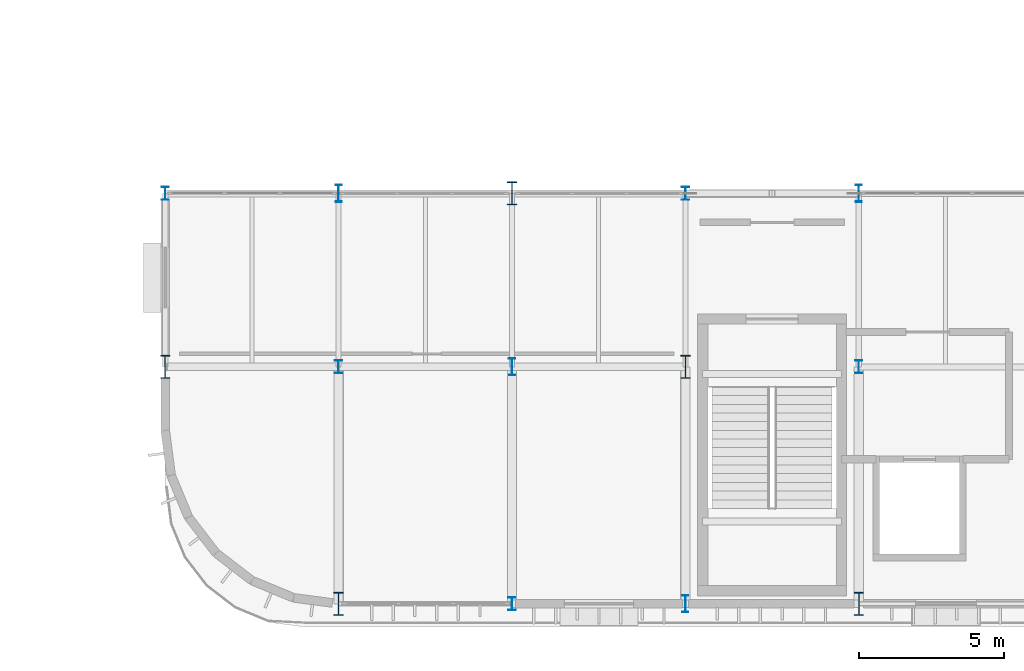
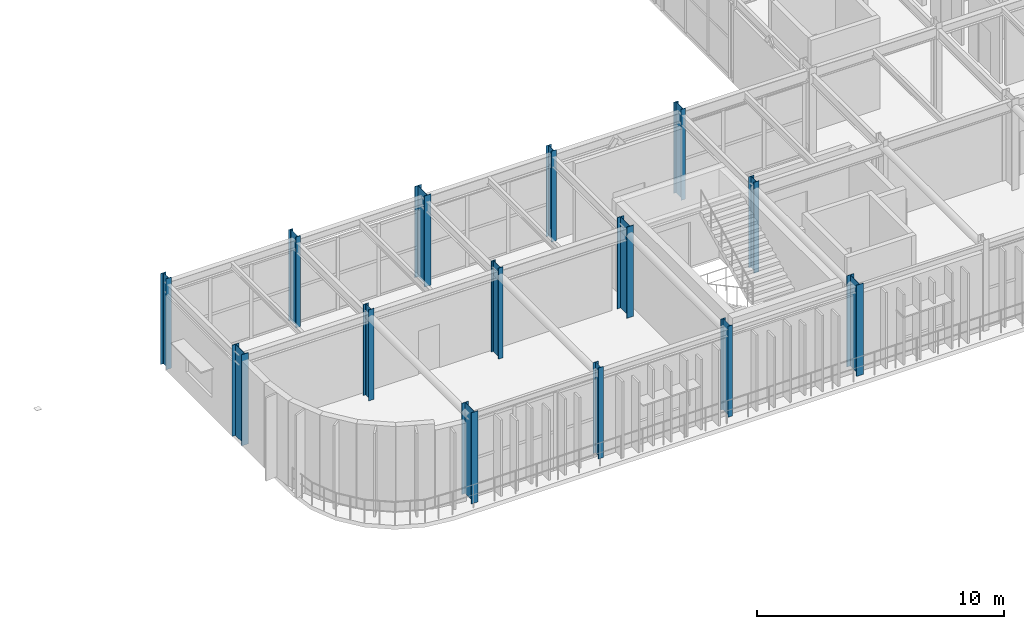
# One storey, part 6 of 84: 14 columns.
"""IFC4 building model written with IfcOpenShell, lengths in metres."""

from ifc_helpers import new_model, si_unit, direction, frame, origin, origin_2d, place, context, subcontext, project, spatial, i_section, extrude, material, material_profile, profile_set, type_object, element, save


model = new_model("IFC4")

# Units and contexts
model_context = context("Model", 3, precision=1e-05, world=origin(), true_north=direction((0.0, 1.0)))
body_context = subcontext(model_context, "Body", "Model", "MODEL_VIEW")
ifc_project = project(units=[si_unit("LENGTHUNIT", "METRE"), si_unit("AREAUNIT", "SQUARE_METRE"), si_unit("VOLUMEUNIT", "CUBIC_METRE"), si_unit("PLANEANGLEUNIT", "RADIAN"), si_unit("MASSUNIT", "GRAM", prefix="KILO")], contexts=[model_context])

# Site, building, storey
site_placement = place(None, origin())
site = spatial("IfcSite", under=ifc_project, at=site_placement, CompositionType="ELEMENT")
building_placement = place(site_placement, origin())
building = spatial("IfcBuilding", under=site, at=building_placement, Name="Varnakota Square Police Headquarters", CompositionType="ELEMENT")
storey_placement = place(building_placement, frame((0.0, 0.0, 13.5)))
storey = spatial("IfcBuildingStorey", under=building, at=storey_placement, Name="L03", CompositionType="ELEMENT", Elevation=13.5)

# Columns
ifc_material = material(Name="Steel IS 2062 Grade 350", Category="steel")
ifc_material_profile_1 = material_profile(ifc_material, i_section(OverallWidth=0.320068359375, OverallDepth=0.800048828125, WebThickness=0.01611328125, FlangeThickness=0.028076171875, at=origin_2d()), Name="BPG 800x320")
ifc_profile_set_1 = profile_set([ifc_material_profile_1], Name="Steel IS 2062 Grade 350")
column_type_1 = type_object("IfcColumnType", Name="COL-BPG800", PredefinedType="COLUMN", material=ifc_profile_set_1)
for number, where, z_axis, x_axis, name in (
    (1, (108.0, 9.0, 0.0), (0.0, 0.0, 1.0), (1.0, 0.0, 0.0), "Column X1080-Y0090 L03"),
    (2, (114.0, 0.800048828125, 0.0), (0.0, 0.0, 1.0), (1.0, 0.0, 0.0), "Column X1140-Y0008 L03"),
    (3, (120.0, 15.0, 0.0), (0.0, 0.0, 1.0), (1.0, 0.0, 0.0), "Column X1200-Y0150 L03"),
    (4, (126.0, 9.0, 0.0), (0.0, 0.0, 1.0), (1.0, 0.0, 0.0), "Column X1260-Y0090 L03"),
    (5, (132.0, 0.800048828125, 0.0), (0.0, 0.0, 1.0), (1.0, 0.0, 0.0), "Column X1320-Y0008 L03"),
):
    element("IfcColumn", number, at=place(storey_placement, frame(where, z_axis=z_axis, x_axis=x_axis)), inside=storey, type_object=column_type_1, Name=name, PredefinedType="COLUMN", context=body_context, shape_type="SweptSolid", body=[
        extrude(i_section(OverallWidth=0.320068359375, OverallDepth=0.800048828125, WebThickness=0.01611328125, FlangeThickness=0.028076171875, at=origin_2d()), origin(), (0.0, 0.0, 1.0), 4.5),
    ])
ifc_material_profile_2 = material_profile(ifc_material, i_section(OverallWidth=0.25, OverallDepth=0.449951171875, WebThickness=0.01123046875, FlangeThickness=0.013671875, FilletRadius=0.014892578125, at=origin_2d()), Name="ISHB 450")
ifc_profile_set_2 = profile_set([ifc_material_profile_2], Name="Steel IS 2062 Grade 350")
column_type_2 = type_object("IfcColumnType", Name="COL-ISHB450", PredefinedType="COLUMN", material=ifc_profile_set_2)
for number, where, z_axis, x_axis, name in (
    (6, (108.0, 15.0, 0.0), (0.0, 0.0, 1.0), (1.0, 0.0, 0.0), "Column X1080-Y0150 L03"),
    (7, (114.0, 9.0, 0.0), (0.0, 0.0, 1.0), (1.0, 0.0, 0.0), "Column X1140-Y0090 L03"),
    (8, (120.0, 0.800048828125, 0.0), (0.0, 0.0, 1.0), (1.0, 0.0, 0.0), "Column X1200-Y0008 L03"),
    (9, (126.0, 15.0, 0.0), (0.0, 0.0, 1.0), (1.0, 0.0, 0.0), "Column X1260-Y0150 L03"),
    (10, (132.0, 9.0, 0.0), (0.0, 0.0, 1.0), (1.0, 0.0, 0.0), "Column X1320-Y0090 L03"),
):
    element("IfcColumn", number, at=place(storey_placement, frame(where, z_axis=z_axis, x_axis=x_axis)), inside=storey, type_object=column_type_2, Name=name, PredefinedType="COLUMN", context=body_context, shape_type="SweptSolid", body=[
        extrude(i_section(OverallWidth=0.25, OverallDepth=0.449951171875, WebThickness=0.01123046875, FlangeThickness=0.013671875, FilletRadius=0.014892578125, at=origin_2d()), origin(), (0.0, 0.0, 1.0), 4.5),
    ])
ifc_material_profile_3 = material_profile(ifc_material, i_section(OverallWidth=0.2099609375, OverallDepth=0.60009765625, WebThickness=0.011962890625, FlangeThickness=0.020751953125, FilletRadius=0.02001953125, at=origin_2d()), Name="ISMB 600")
ifc_profile_set_3 = profile_set([ifc_material_profile_3], Name="Steel IS 2062 Grade 350")
column_type_3 = type_object("IfcColumnType", Name="COL-ISMB600", PredefinedType="COLUMN", material=ifc_profile_set_3)
for number, where, z_axis, x_axis, name in (
    (11, (114.0, 15.0, 0.0), (0.0, 0.0, 1.0), (1.0, 0.0, 0.0), "Column X1140-Y0150 L03"),
    (12, (120.0, 9.0, 0.0), (0.0, 0.0, 1.0), (1.0, 0.0, 0.0), "Column X1200-Y0090 L03"),
    (13, (126.0, 0.800048828125, 0.0), (0.0, 0.0, 1.0), (1.0, 0.0, 0.0), "Column X1260-Y0008 L03"),
    (14, (132.0, 15.0, 0.0), (0.0, 0.0, 1.0), (1.0, 0.0, 0.0), "Column X1320-Y0150 L03"),
):
    element("IfcColumn", number, at=place(storey_placement, frame(where, z_axis=z_axis, x_axis=x_axis)), inside=storey, type_object=column_type_3, Name=name, PredefinedType="COLUMN", context=body_context, shape_type="SweptSolid", body=[
        extrude(i_section(OverallWidth=0.2099609375, OverallDepth=0.60009765625, WebThickness=0.011962890625, FlangeThickness=0.020751953125, FilletRadius=0.02001953125, at=origin_2d()), origin(), (0.0, 0.0, 1.0), 4.5),
    ])

save(model, "model.ifc")
